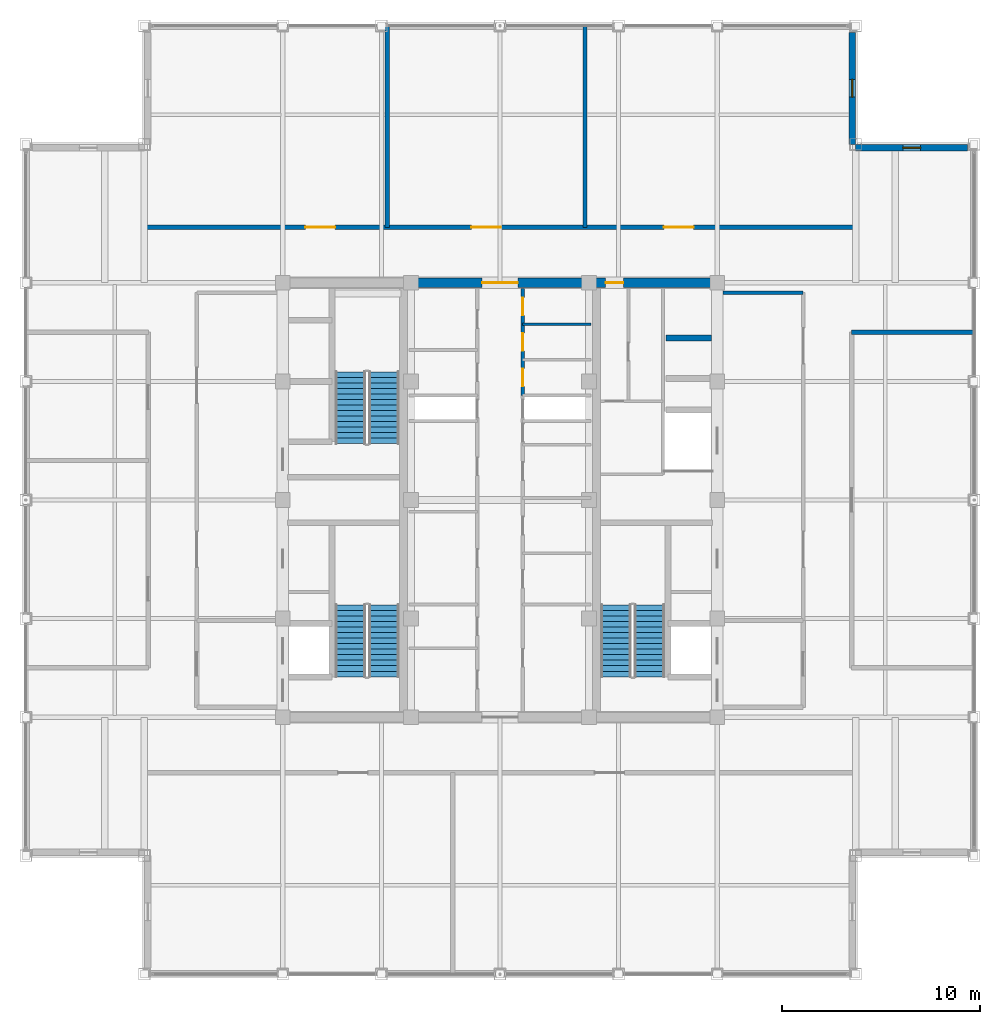
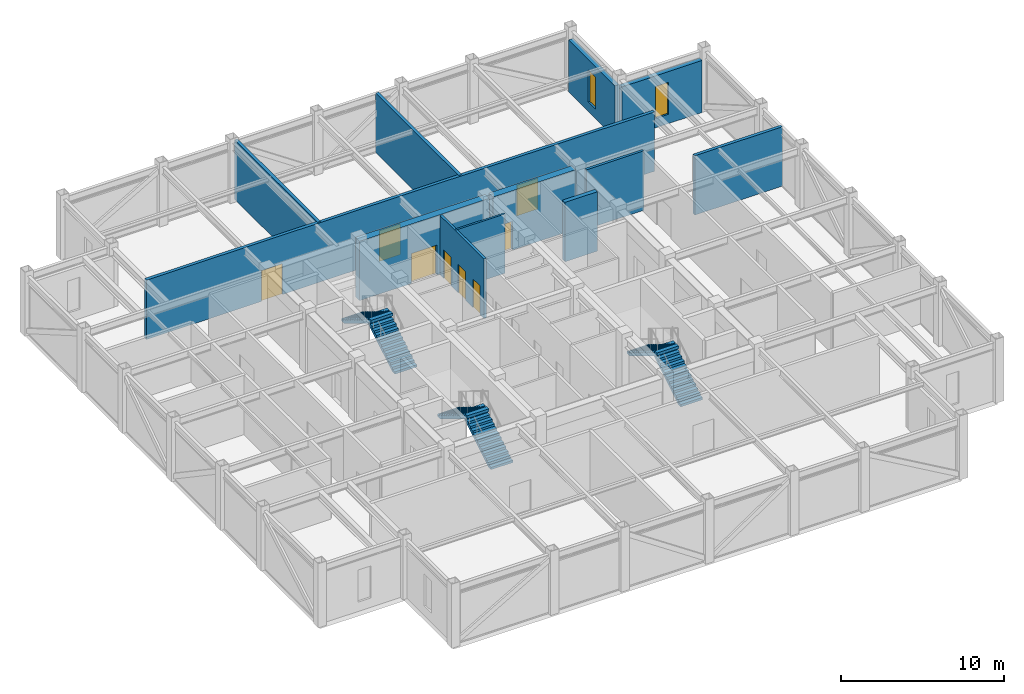
# One storey, part 26 of 27: 12 walls, 8 doors, 6 stair flights, 2 windows, 10 openings, 3 elements without a shape of their own.
"""IFC4 building model written with IfcOpenShell, lengths in metres."""

from ifc_helpers import new_model, si_unit, direction, frame, frame_2d, origin, place, context, subcontext, project, spatial, polyline, rectangle, outline, extrude, source, transform, mapped, material, layer, layer_set, type_object, element, fill, aggregate, save


model = new_model("IFC4")

# Units and contexts
model_context = context("Model", 3, precision=1e-05, world=origin(), true_north=direction((0.0, 1.0)))
body_context = subcontext(model_context, "Body", "Model", "MODEL_VIEW")
ifc_project = project(units=[si_unit("LENGTHUNIT", "METRE"), si_unit("AREAUNIT", "SQUARE_METRE"), si_unit("VOLUMEUNIT", "CUBIC_METRE"), si_unit("PLANEANGLEUNIT", "RADIAN"), si_unit("MASSUNIT", "GRAM", prefix="KILO")], contexts=[model_context])

# Site, building, storey
site_placement = place(None, origin())
site = spatial("IfcSite", under=ifc_project, at=site_placement, CompositionType="ELEMENT")
building_placement = place(site_placement, origin())
building = spatial("IfcBuilding", under=site, at=building_placement, Name="Khorayat Bourse Tower", CompositionType="ELEMENT")
storey_placement = place(building_placement, frame((0.0, 0.0, 380.300048828125)))
storey = spatial("IfcBuildingStorey", under=building, at=storey_placement, Name="L90", CompositionType="ELEMENT", Elevation=380.300048828125)

# Wall, opening, door
ifc_material_1 = material(Name="Concrete C52/65", Category="concrete")
ifc_layer_1 = layer(ifc_material_1, 0.5)
ifc_layer_set_1 = layer_set([ifc_layer_1], Name="Concrete C52/65")
wall_type_1 = type_object("IfcWallType", Name="WAL-CORE-500", PredefinedType="SHEAR", material=ifc_layer_set_1)
shared_shape_1 = source(origin(), body_context, "Body", "SweptSolid", [
    extrude(rectangle(XDim=5.89990234375, YDim=0.5, at=frame_2d((2.949951171875, 0.0))), origin(), (0.0, 0.0, 1.0), 4.449951171875),
])
wall_1_placement = place(storey_placement, frame((4.85009765625, 11.0, 0.0), z_axis=(0.0, 0.0, 1.0), x_axis=(1.0, 0.0, 0.0)))
wall_1 = element("IfcWall", 1, at=wall_1_placement, inside=storey, type_object=wall_type_1, Name="L90 Core Shear Wall PIER-EN", PredefinedType="SHEAR", context=body_context, shape_type="MappedRepresentation", body=[
    mapped(shared_shape_1, transform((0.0, 0.0, 0.0), scale=1.0)),
])
shared_shape_2 = source(origin(), body_context, "Body", "SweptSolid", [
    extrude(rectangle(XDim=0.89990234375, YDim=2.14990234375, at=frame_2d((0.449951171875, 1.074951171875))), frame((0.0, 0.260009765625, 0.0), z_axis=(0.0, -1.0, 0.0), x_axis=(1.0, 0.0, 0.0)), (0.0, 0.0, 1.0), 0.52001953125),
])
opening_1_placement = place(wall_1_placement, frame((0.5, 0.0, 0.0)))
opening_1 = element("IfcOpeningElement", 2, at=opening_1_placement, cuts=wall_1, Name="Opening DI-06", PredefinedType="OPENING", context=body_context, shape_type="MappedRepresentation", body=[
    mapped(shared_shape_2, transform((0.0, 0.0, 0.0), scale=1.0)),
])
ifc_material_2 = material(Name="Moisture-resistant laminate washroom door")
door_type_1 = type_object("IfcDoorType", Name="DR-INT-WC-900", OperationType="NOTDEFINED", PredefinedType="DOOR", material=ifc_material_2)
shared_shape_3 = source(origin(), body_context, "Body", "SweptSolid", [
    extrude(rectangle(XDim=0.89990234375, YDim=2.14990234375, at=frame_2d((0.449951171875, 1.074951171875))), frame((0.0, 0.02490234375, 0.0), z_axis=(0.0, -1.0, 0.0), x_axis=(1.0, 0.0, 0.0)), (0.0, 0.0, 1.0), 0.050048828125),
])
door_1_placement = place(opening_1_placement, origin())
door_1 = element("IfcDoor", 3, at=door_1_placement, inside=storey, type_object=door_type_1, Name="L90 Core Washroom Lobby Door", OperationType="SINGLE_SWING_LEFT", OverallHeight=2.14990234375, OverallWidth=0.89990234375, PredefinedType="DOOR", context=body_context, shape_type="MappedRepresentation", body=[
    mapped(shared_shape_3, transform((0.0, 0.0, 0.0), scale=1.0)),
])
fill(opening_1, door_1)

shared_shape_4 = source(origin(), body_context, "Body", "SweptSolid", [
    extrude(rectangle(XDim=9.2001953125, YDim=0.5, at=frame_2d((4.60009765625, 0.0))), origin(), (0.0, 0.0, 1.0), 4.449951171875),
])
wall_2_placement = place(storey_placement, frame((-4.60009765625, 11.0, 0.0), z_axis=(0.0, 0.0, 1.0), x_axis=(1.0, 0.0, 0.0)))
wall_2 = element("IfcWall", 4, at=wall_2_placement, inside=storey, type_object=wall_type_1, Name="L90 Core Shear Wall CORE-N", PredefinedType="SHEAR", context=body_context, shape_type="MappedRepresentation", body=[
    mapped(shared_shape_4, transform((0.0, 0.0, 0.0), scale=1.0)),
])
shared_shape_5 = source(origin(), body_context, "Body", "SweptSolid", [
    extrude(rectangle(XDim=1.800048828125, YDim=2.25, at=frame_2d((0.89990234375, 1.125))), frame((0.0, 0.260009765625, 0.0), z_axis=(0.0, -1.0, 0.0), x_axis=(1.0, 0.0, 0.0)), (0.0, 0.0, 1.0), 0.52001953125),
])
opening_2_placement = place(wall_2_placement, frame((3.699951171875, 0.0, 0.0)))
opening_2 = element("IfcOpeningElement", 5, at=opening_2_placement, cuts=wall_2, Name="Opening DI-03", PredefinedType="OPENING", context=body_context, shape_type="MappedRepresentation", body=[
    mapped(shared_shape_5, transform((0.0, 0.0, 0.0), scale=1.0)),
])
ifc_material_3 = material(Name="Fire-rated hardwood vision-panel double leaf", Category="wood")
door_type_2 = type_object("IfcDoorType", Name="DR-INT-CORR-1800", OperationType="NOTDEFINED", PredefinedType="DOOR", material=ifc_material_3)
shared_shape_6 = source(origin(), body_context, "Body", "SweptSolid", [
    extrude(rectangle(XDim=1.800048828125, YDim=2.25, at=frame_2d((0.89990234375, 1.125))), frame((0.0, 0.02490234375, 0.0), z_axis=(0.0, -1.0, 0.0), x_axis=(1.0, 0.0, 0.0)), (0.0, 0.0, 1.0), 0.050048828125),
])
door_2_placement = place(opening_2_placement, origin())
door_2 = element("IfcDoor", 6, at=door_2_placement, inside=storey, type_object=door_type_2, Name="L90 Central Core North Passage Door", OperationType="SINGLE_SWING_RIGHT", OverallHeight=2.25, OverallWidth=1.800048828125, PredefinedType="DOOR", context=body_context, shape_type="MappedRepresentation", body=[
    mapped(shared_shape_6, transform((0.0, 0.0, 0.0), scale=1.0)),
])
fill(opening_2, door_2)

# Wall, opening, window
ifc_material_4 = material(Name="Precast concrete C45/55", Category="concrete")
ifc_layer_2 = layer(ifc_material_4, 0.320068359375)
ifc_layer_set_2 = layer_set([ifc_layer_2], Name="Precast concrete C45/55")
wall_type_2 = type_object("IfcWallType", Name="WAL-EXT-STONE-320", PredefinedType="STANDARD", material=ifc_layer_set_2)
shared_shape_7 = source(origin(), body_context, "Body", "SweptSolid", [
    extrude(rectangle(XDim=5.679931640625, YDim=0.320068359375, at=frame_2d((2.83984375, 0.0))), origin(), (0.0, 0.0, 1.0), 3.90087890625),
])
wall_3_placement = place(storey_placement, frame((18.0, 17.840087890625, 0.0), z_axis=(0.0, 0.0, 1.0), x_axis=(1.0, 0.0, 0.0)))
wall_3 = element("IfcWall", 7, at=wall_3_placement, inside=storey, type_object=wall_type_2, Name="L90 Re-Entrant Notch Limestone Wall NE-H", PredefinedType="STANDARD", context=body_context, shape_type="MappedRepresentation", body=[
    mapped(shared_shape_7, transform((0.0, 0.0, 0.0), scale=1.0)),
])
shared_shape_8 = source(origin(), body_context, "Body", "SweptSolid", [
    extrude(rectangle(XDim=0.89990234375, YDim=2.39990234375, at=frame_2d((0.449951171875, 1.199951171875))), frame((0.0, 0.169921875, 0.0), z_axis=(0.0, -1.0, 0.0), x_axis=(1.0, 0.0, 0.0)), (0.0, 0.0, 1.0), 0.340087890625),
])
opening_3_placement = place(wall_3_placement, frame((2.389892578125, 0.0, 0.699951171875)))
opening_3 = element("IfcOpeningElement", 8, at=opening_3_placement, cuts=wall_3, Name="Opening WN-03", PredefinedType="OPENING", context=body_context, shape_type="MappedRepresentation", body=[
    mapped(shared_shape_8, transform((0.0, 0.0, 0.0), scale=1.0)),
])
ifc_material_5 = material(Name="Deep-reveal solar-control double glazing", Category="glass")
window_type = type_object("IfcWindowType", Name="WIN-SLOT-900x2400", PartitioningType="SINGLE_PANEL", PredefinedType="WINDOW", material=ifc_material_5)
shared_shape_9 = source(origin(), body_context, "Body", "SweptSolid", [
    extrude(rectangle(XDim=0.89990234375, YDim=2.39990234375, at=frame_2d((0.449951171875, 1.199951171875))), frame((0.0, 0.030029296875, 0.0), z_axis=(0.0, -1.0, 0.0), x_axis=(1.0, 0.0, 0.0)), (0.0, 0.0, 1.0), 0.06005859375),
])
window_1_placement = place(opening_3_placement, origin())
window_1 = element("IfcWindow", 9, at=window_1_placement, inside=storey, type_object=window_type, Name="L90 Facade Window 1", OverallHeight=2.39990234375, OverallWidth=0.89990234375, PartitioningType="SINGLE_PANEL", PredefinedType="WINDOW", context=body_context, shape_type="MappedRepresentation", body=[
    mapped(shared_shape_9, transform((0.0, 0.0, 0.0), scale=1.0)),
])
fill(opening_3, window_1)

wall_4_placement = place(storey_placement, frame((17.840087890625, 18.0, 0.0), z_axis=(0.0, 0.0, 1.0), x_axis=(0.0, 1.0, 0.0)))
wall_4 = element("IfcWall", 10, at=wall_4_placement, inside=storey, type_object=wall_type_2, Name="L90 Re-Entrant Notch Limestone Wall NE-V", PredefinedType="STANDARD", context=body_context, shape_type="MappedRepresentation", body=[
    mapped(shared_shape_7, transform((0.0, 0.0, 0.0), scale=1.0)),
])
opening_4_placement = place(wall_4_placement, frame((2.389892578125, 0.0, 0.699951171875)))
opening_4 = element("IfcOpeningElement", 11, at=opening_4_placement, cuts=wall_4, Name="Opening WN-03", PredefinedType="OPENING", context=body_context, shape_type="MappedRepresentation", body=[
    mapped(shared_shape_8, transform((0.0, 0.0, 0.0), scale=1.0)),
])
window_2_placement = place(opening_4_placement, origin())
window_2 = element("IfcWindow", 12, at=window_2_placement, inside=storey, type_object=window_type, Name="L90 Facade Window 1", OverallHeight=2.39990234375, OverallWidth=0.89990234375, PartitioningType="SINGLE_PANEL", PredefinedType="WINDOW", context=body_context, shape_type="MappedRepresentation", body=[
    mapped(shared_shape_9, transform((0.0, 0.0, 0.0), scale=1.0)),
])
fill(opening_4, window_2)

# Walls
ifc_material_6 = material(Name="Concrete C50/60", Category="concrete")
ifc_layer_3 = layer(ifc_material_6, 0.300048828125)
ifc_layer_set_3 = layer_set([ifc_layer_3], Name="Concrete C50/60")
wall_type_3 = type_object("IfcWallType", Name="WAL-SHAFT-300", PredefinedType="SHEAR", material=ifc_layer_set_3)
shared_shape_10 = source(origin(), body_context, "Body", "SweptSolid", [
    extrude(rectangle(XDim=2.300048828125, YDim=0.300048828125, at=frame_2d((1.14990234375, 0.0))), origin(), (0.0, 0.0, 1.0), 4.449951171875),
])
wall_5_placement = place(storey_placement, frame((8.39990234375, 8.199951171875, 0.0), z_axis=(0.0, 0.0, 1.0), x_axis=(1.0, 0.0, 0.0)))
element("IfcWall", 13, at=wall_5_placement, inside=storey, type_object=wall_type_3, Name="L90 Partition WAL-L90-EPIER-H34", PredefinedType="SHEAR", context=body_context, shape_type="MappedRepresentation", body=[
    mapped(shared_shape_10, transform((0.0, 0.0, 0.0), scale=1.0)),
])
ifc_material_7 = material(Name="Gypsum plasterboard acoustic stud wall")
ifc_layer_4 = layer(ifc_material_7, 0.179931640625)
ifc_layer_set_4 = layer_set([ifc_layer_4], Name="Gypsum plasterboard acoustic stud wall")
wall_type_4 = type_object("IfcWallType", Name="WAL-PART-CORR-180", PredefinedType="PARTITIONING", material=ifc_layer_set_4)
shared_shape_11 = source(origin(), body_context, "Body", "SweptSolid", [
    extrude(rectangle(XDim=4.050048828125, YDim=0.179931640625, at=frame_2d((2.02490234375, 0.0))), origin(), (0.0, 0.0, 1.0), 4.449951171875),
])
wall_6_placement = place(storey_placement, frame((11.300048828125, 10.5, 0.0), z_axis=(0.0, 0.0, 1.0), x_axis=(1.0, 0.0, 0.0)))
element("IfcWall", 14, at=wall_6_placement, inside=storey, type_object=wall_type_4, Name="L90 Partition WAL-L90-ELOB-N", PredefinedType="PARTITIONING", context=body_context, shape_type="MappedRepresentation", body=[
    mapped(shared_shape_11, transform((0.0, 0.0, 0.0), scale=1.0)),
])
ifc_material_8 = material(Name="Moisture-resistant masonry partition", Category="masonry")
ifc_layer_5 = layer(ifc_material_8, 0.139892578125)
ifc_layer_set_5 = layer_set([ifc_layer_5], Name="Moisture-resistant masonry partition")
wall_type_5 = type_object("IfcWallType", Name="WAL-PART-WET-140", PredefinedType="PARTITIONING", material=ifc_layer_set_5)
shared_shape_12 = source(origin(), body_context, "Body", "SweptSolid", [
    extrude(rectangle(XDim=3.4501953125, YDim=0.139892578125, at=frame_2d((1.72509765625, 0.0))), origin(), (0.0, 0.0, 1.0), 4.449951171875),
])
wall_7_placement = place(storey_placement, frame((1.14990234375, 8.89990234375, 0.0), z_axis=(0.0, 0.0, 1.0), x_axis=(1.0, 0.0, 0.0)))
element("IfcWall", 15, at=wall_7_placement, inside=storey, type_object=wall_type_5, Name="L90 Partition WAL-L90-FB2E-D2", PredefinedType="PARTITIONING", context=body_context, shape_type="MappedRepresentation", body=[
    mapped(shared_shape_12, transform((0.0, 0.0, 0.0), scale=1.0)),
])

# Wall, openings, doors
shared_shape_13 = source(origin(), body_context, "Body", "SweptSolid", [
    extrude(rectangle(XDim=5.39990234375, YDim=0.179931640625, at=frame_2d((2.699951171875, 0.0))), origin(), (0.0, 0.0, 1.0), 4.449951171875),
])
wall_8_placement = place(storey_placement, frame((1.14990234375, 5.300048828125, 0.0), z_axis=(0.0, 0.0, 1.0), x_axis=(0.0, 1.0, 0.0)))
wall_8 = element("IfcWall", 16, at=wall_8_placement, inside=storey, type_object=wall_type_4, Name="L90 Partition WAL-L90-FB2E-L", PredefinedType="PARTITIONING", context=body_context, shape_type="MappedRepresentation", body=[
    mapped(shared_shape_13, transform((0.0, 0.0, 0.0), scale=1.0)),
])
shared_shape_14 = source(origin(), body_context, "Body", "SweptSolid", [
    extrude(rectangle(XDim=0.89990234375, YDim=2.14990234375, at=frame_2d((0.449951171875, 1.074951171875))), frame((0.0, 0.099853515625, 0.0), z_axis=(0.0, -1.0, 0.0), x_axis=(1.0, 0.0, 0.0)), (0.0, 0.0, 1.0), 0.199951171875),
])
opening_5_placement = place(wall_8_placement, frame((0.449951171875, 0.0, 0.0)))
opening_5 = element("IfcOpeningElement", 17, at=opening_5_placement, cuts=wall_8, Name="Opening DI-06", PredefinedType="OPENING", context=body_context, shape_type="MappedRepresentation", body=[
    mapped(shared_shape_14, transform((0.0, 0.0, 0.0), scale=1.0)),
])
opening_6_placement = place(wall_8_placement, frame((2.25, 0.0, 0.0)))
opening_6 = element("IfcOpeningElement", 18, at=opening_6_placement, cuts=wall_8, Name="Opening DI-06", PredefinedType="OPENING", context=body_context, shape_type="MappedRepresentation", body=[
    mapped(shared_shape_14, transform((0.0, 0.0, 0.0), scale=1.0)),
])
opening_7_placement = place(wall_8_placement, frame((4.050048828125, 0.0, 0.0)))
opening_7 = element("IfcOpeningElement", 19, at=opening_7_placement, cuts=wall_8, Name="Opening DI-06", PredefinedType="OPENING", context=body_context, shape_type="MappedRepresentation", body=[
    mapped(shared_shape_14, transform((0.0, 0.0, 0.0), scale=1.0)),
])
door_3_placement = place(opening_5_placement, origin())
door_3 = element("IfcDoor", 20, at=door_3_placement, inside=storey, type_object=door_type_1, Name="L90 Linen Store Door", OperationType="SINGLE_SWING_RIGHT", OverallHeight=2.14990234375, OverallWidth=0.89990234375, PredefinedType="DOOR", context=body_context, shape_type="MappedRepresentation", body=[
    mapped(shared_shape_3, transform((0.0, 0.0, 0.0), scale=1.0)),
])
fill(opening_5, door_3)
door_4_placement = place(opening_6_placement, origin())
door_4 = element("IfcDoor", 21, at=door_4_placement, inside=storey, type_object=door_type_1, Name="L90 Sub-Meter Room Door", OperationType="SINGLE_SWING_LEFT", OverallHeight=2.14990234375, OverallWidth=0.89990234375, PredefinedType="DOOR", context=body_context, shape_type="MappedRepresentation", body=[
    mapped(shared_shape_3, transform((0.0, 0.0, 0.0), scale=1.0)),
])
fill(opening_6, door_4)
door_5_placement = place(opening_7_placement, origin())
door_5 = element("IfcDoor", 22, at=door_5_placement, inside=storey, type_object=door_type_1, Name="L90 Records Store Door", OperationType="SINGLE_SWING_RIGHT", OverallHeight=2.14990234375, OverallWidth=0.89990234375, PredefinedType="DOOR", context=body_context, shape_type="MappedRepresentation", body=[
    mapped(shared_shape_3, transform((0.0, 0.0, 0.0), scale=1.0)),
])
fill(opening_7, door_5)

# Walls
ifc_material_9 = material(Name="Aerated concrete blockwork", Category="masonry")
ifc_layer_6 = layer(ifc_material_9, 0.219970703125)
ifc_layer_set_6 = layer_set([ifc_layer_6], Name="Aerated concrete blockwork")
wall_type_6 = type_object("IfcWallType", Name="WAL-PART-FF-220", PredefinedType="PARTITIONING", material=ifc_layer_set_6)
shared_shape_15 = source(origin(), body_context, "Body", "SweptSolid", [
    extrude(rectangle(XDim=10.199951171875, YDim=0.219970703125, at=frame_2d((5.10009765625, 0.0))), origin(), (0.0, 0.0, 1.0), 4.449951171875),
])
for number, where, z_axis, x_axis, name in (
    (23, (-5.699951171875, 13.800048828125, 0.0), (0.0, 0.0, 1.0), (0.0, 1.0, 0.0), "L90 Partition WAL-L90-PLN-D1"),
    (24, (4.300048828125, 13.800048828125, 0.0), (0.0, 0.0, 1.0), (0.0, 1.0, 0.0), "L90 Partition WAL-L90-PLN-D2"),
):
    element("IfcWall", number, at=place(storey_placement, frame(where, z_axis=z_axis, x_axis=x_axis)), inside=storey, type_object=wall_type_6, Name=name, PredefinedType="PARTITIONING", context=body_context, shape_type="MappedRepresentation", body=[
        mapped(shared_shape_15, transform((0.0, 0.0, 0.0), scale=1.0)),
    ])
shared_shape_16 = source(origin(), body_context, "Body", "SweptSolid", [
    extrude(rectangle(XDim=6.199951171875, YDim=0.219970703125, at=frame_2d((3.10009765625, 0.0))), origin(), (0.0, 0.0, 1.0), 4.449951171875),
])
wall_9_placement = place(storey_placement, frame((17.800048828125, 8.5, 0.0), z_axis=(0.0, 0.0, 1.0), x_axis=(1.0, 0.0, 0.0)))
element("IfcWall", 25, at=wall_9_placement, inside=storey, type_object=wall_type_6, Name="L90 Partition WAL-L90-PLE-N", PredefinedType="PARTITIONING", context=body_context, shape_type="MappedRepresentation", body=[
    mapped(shared_shape_16, transform((0.0, 0.0, 0.0), scale=1.0)),
])

# Wall, openings, doors
shared_shape_17 = source(origin(), body_context, "Body", "SweptSolid", [
    extrude(rectangle(XDim=36.0, YDim=0.219970703125, at=frame_2d((18.0, 0.0))), origin(), (0.0, 0.0, 1.0), 4.449951171875),
])
wall_10_placement = place(storey_placement, frame((-18.0, 13.800048828125, 0.0), z_axis=(0.0, 0.0, 1.0), x_axis=(1.0, 0.0, 0.0)))
wall_10 = element("IfcWall", 26, at=wall_10_placement, inside=storey, type_object=wall_type_6, Name="L90 Partition WAL-L90-PLN-S", PredefinedType="PARTITIONING", context=body_context, shape_type="MappedRepresentation", body=[
    mapped(shared_shape_17, transform((0.0, 0.0, 0.0), scale=1.0)),
])
shared_shape_18 = source(origin(), body_context, "Body", "SweptSolid", [
    extrude(rectangle(XDim=1.5, YDim=2.300048828125, at=frame_2d((0.75, 1.14990234375))), frame((0.0, 0.119873046875, 0.0), z_axis=(0.0, -1.0, 0.0), x_axis=(1.0, 0.0, 0.0)), (0.0, 0.0, 1.0), 0.239990234375),
])
opening_8_placement = place(wall_10_placement, frame((8.14990234375, 0.0, 0.0)))
opening_8 = element("IfcOpeningElement", 27, at=opening_8_placement, cuts=wall_10, Name="Opening DI-07", PredefinedType="OPENING", context=body_context, shape_type="MappedRepresentation", body=[
    mapped(shared_shape_18, transform((0.0, 0.0, 0.0), scale=1.0)),
])
opening_9_placement = place(wall_10_placement, frame((16.550048828125, 0.0, 0.0)))
opening_9 = element("IfcOpeningElement", 28, at=opening_9_placement, cuts=wall_10, Name="Opening DI-07", PredefinedType="OPENING", context=body_context, shape_type="MappedRepresentation", body=[
    mapped(shared_shape_18, transform((0.0, 0.0, 0.0), scale=1.0)),
])
opening_10_placement = place(wall_10_placement, frame((26.300048828125, 0.0, 0.0)))
opening_10 = element("IfcOpeningElement", 29, at=opening_10_placement, cuts=wall_10, Name="Opening DI-07", PredefinedType="OPENING", context=body_context, shape_type="MappedRepresentation", body=[
    mapped(shared_shape_18, transform((0.0, 0.0, 0.0), scale=1.0)),
])
ifc_material_10 = material(Name="Louvred fire-rated steel plant double door", Category="steel")
door_type_3 = type_object("IfcDoorType", Name="DR-INT-PLANT-1500", OperationType="NOTDEFINED", PredefinedType="DOOR", material=ifc_material_10)
shared_shape_19 = source(origin(), body_context, "Body", "SweptSolid", [
    extrude(rectangle(XDim=1.5, YDim=2.300048828125, at=frame_2d((0.75, 1.14990234375))), frame((0.0, 0.02490234375, 0.0), z_axis=(0.0, -1.0, 0.0), x_axis=(1.0, 0.0, 0.0)), (0.0, 0.0, 1.0), 0.050048828125),
])
door_6_placement = place(opening_8_placement, origin())
door_6 = element("IfcDoor", 30, at=door_6_placement, inside=storey, type_object=door_type_3, Name="L90 AHU Plant Door", OperationType="SINGLE_SWING_LEFT", OverallHeight=2.300048828125, OverallWidth=1.5, PredefinedType="DOOR", context=body_context, shape_type="MappedRepresentation", body=[
    mapped(shared_shape_19, transform((0.0, 0.0, 0.0), scale=1.0)),
])
fill(opening_8, door_6)
door_7_placement = place(opening_9_placement, origin())
door_7 = element("IfcDoor", 31, at=door_7_placement, inside=storey, type_object=door_type_3, Name="L90 HV Switchgear Door", OperationType="SINGLE_SWING_RIGHT", OverallHeight=2.300048828125, OverallWidth=1.5, PredefinedType="DOOR", context=body_context, shape_type="MappedRepresentation", body=[
    mapped(shared_shape_19, transform((0.0, 0.0, 0.0), scale=1.0)),
])
fill(opening_9, door_7)
door_8_placement = place(opening_10_placement, origin())
door_8 = element("IfcDoor", 32, at=door_8_placement, inside=storey, type_object=door_type_3, Name="L90 BMS Plant Door", OperationType="SINGLE_SWING_LEFT", OverallHeight=2.300048828125, OverallWidth=1.5, PredefinedType="DOOR", context=body_context, shape_type="MappedRepresentation", body=[
    mapped(shared_shape_19, transform((0.0, 0.0, 0.0), scale=1.0)),
])
fill(opening_10, door_8)

# Stair, stair flights
ifc_material_11 = material(Name="Concrete C40/50", Category="concrete")
stair_type = type_object("IfcStairType", Name="STR-CORE-1550", PredefinedType="HALF_TURN_STAIR", material=ifc_material_11)
stair_1_placement = place(storey_placement, origin())
stair_1 = element("IfcStair", 33, at=stair_1_placement, inside=storey, type_object=stair_type, Name="L90 Exit Stair ST-1", PredefinedType="HALF_TURN_STAIR")
stair_flight_type = type_object("IfcStairFlightType", Name="FLT-CORE-1550", PredefinedType="STRAIGHT", material=ifc_material_11)
shared_shape_20 = source(origin(), body_context, "Body", "SweptSolid", [
    extrude(outline(polyline([(0.0, 0.0), (0.0, 0.17138671875), (0.280029296875, 0.17138671875), (0.280029296875, 0.3427734375), (0.56005859375, 0.3427734375), (0.56005859375, 0.514404296875), (0.840087890625, 0.514404296875), (0.840087890625, 0.685791015625), (1.1201171875, 0.685791015625), (1.1201171875, 0.857177734375), (1.39990234375, 0.857177734375), (1.39990234375, 1.028564453125), (1.679931640625, 1.028564453125), (1.679931640625, 1.199951171875), (1.9599609375, 1.199951171875), (1.9599609375, 1.371337890625), (2.239990234375, 1.371337890625), (2.239990234375, 1.54296875), (2.52001953125, 1.54296875), (2.52001953125, 1.71435546875), (2.800048828125, 1.71435546875), (2.800048828125, 1.8857421875), (3.080078125, 1.8857421875), (3.080078125, 2.05712890625), (3.360107421875, 2.05712890625), (3.360107421875, 2.228515625), (3.639892578125, 2.228515625), (3.639892578125, 2.39990234375), (3.639892578125, 2.017578125), (0.344482421875, 0.0), (0.0, 0.0)])), frame((0.0, 0.77490234375, 0.0), z_axis=(0.0, -1.0, 0.0), x_axis=(1.0, 0.0, 0.0)), (0.0, 0.0, 1.0), 1.550048828125),
])
stair_flight_1_placement = place(storey_placement, frame((-5.875, -8.949951171875, 0.0), z_axis=(0.0, 0.0, 1.0), x_axis=(0.0, 1.0, 0.0)))
stair_flight_1 = element("IfcStairFlight", 34, at=stair_flight_1_placement, type_object=stair_flight_type, Name="ST-1 flight 1", NumberOfRisers=14, NumberOfTreads=13, PredefinedType="STRAIGHT", RiserHeight=0.171428571, TreadLength=0.28, context=body_context, shape_type="MappedRepresentation", body=[
    mapped(shared_shape_20, transform((0.0, 0.0, 0.0), scale=1.0)),
])
stair_flight_2_placement = place(storey_placement, frame((-7.574951171875, -5.31005859375, 2.39990234375), z_axis=(0.0, 0.0, 1.0), x_axis=(0.0, -1.0, 0.0)))
stair_flight_2 = element("IfcStairFlight", 35, at=stair_flight_2_placement, type_object=stair_flight_type, Name="ST-1 flight 2", NumberOfRisers=14, NumberOfTreads=13, PredefinedType="STRAIGHT", RiserHeight=0.171428571, TreadLength=0.28, context=body_context, shape_type="MappedRepresentation", body=[
    mapped(shared_shape_20, transform((0.0, 0.0, 0.0), scale=1.0)),
])
aggregate(stair_1, [stair_flight_1, stair_flight_2])

stair_2_placement = place(storey_placement, origin())
stair_2 = element("IfcStair", 36, at=stair_2_placement, inside=storey, type_object=stair_type, Name="L90 Exit Stair ST-2", PredefinedType="HALF_TURN_STAIR")
stair_flight_3_placement = place(storey_placement, frame((-5.875, 2.85009765625, 0.0), z_axis=(0.0, 0.0, 1.0), x_axis=(0.0, 1.0, 0.0)))
stair_flight_3 = element("IfcStairFlight", 37, at=stair_flight_3_placement, type_object=stair_flight_type, Name="ST-2 flight 1", NumberOfRisers=14, NumberOfTreads=13, PredefinedType="STRAIGHT", RiserHeight=0.171428571, TreadLength=0.28, context=body_context, shape_type="MappedRepresentation", body=[
    mapped(shared_shape_20, transform((0.0, 0.0, 0.0), scale=1.0)),
])
stair_flight_4_placement = place(storey_placement, frame((-7.574951171875, 6.489990234375, 2.39990234375), z_axis=(0.0, 0.0, 1.0), x_axis=(0.0, -1.0, 0.0)))
stair_flight_4 = element("IfcStairFlight", 38, at=stair_flight_4_placement, type_object=stair_flight_type, Name="ST-2 flight 2", NumberOfRisers=14, NumberOfTreads=13, PredefinedType="STRAIGHT", RiserHeight=0.171428571, TreadLength=0.28, context=body_context, shape_type="MappedRepresentation", body=[
    mapped(shared_shape_20, transform((0.0, 0.0, 0.0), scale=1.0)),
])
aggregate(stair_2, [stair_flight_3, stair_flight_4])

stair_3_placement = place(storey_placement, origin())
stair_3 = element("IfcStair", 39, at=stair_3_placement, inside=storey, type_object=stair_type, Name="L90 Exit Stair ST-3", PredefinedType="HALF_TURN_STAIR")
stair_flight_5_placement = place(storey_placement, frame((7.574951171875, -8.949951171875, 0.0), z_axis=(0.0, 0.0, 1.0), x_axis=(0.0, 1.0, 0.0)))
stair_flight_5 = element("IfcStairFlight", 40, at=stair_flight_5_placement, type_object=stair_flight_type, Name="ST-3 flight 1", NumberOfRisers=14, NumberOfTreads=13, PredefinedType="STRAIGHT", RiserHeight=0.171428571, TreadLength=0.28, context=body_context, shape_type="MappedRepresentation", body=[
    mapped(shared_shape_20, transform((0.0, 0.0, 0.0), scale=1.0)),
])
stair_flight_6_placement = place(storey_placement, frame((5.875, -5.31005859375, 2.39990234375), z_axis=(0.0, 0.0, 1.0), x_axis=(0.0, -1.0, 0.0)))
stair_flight_6 = element("IfcStairFlight", 41, at=stair_flight_6_placement, type_object=stair_flight_type, Name="ST-3 flight 2", NumberOfRisers=14, NumberOfTreads=13, PredefinedType="STRAIGHT", RiserHeight=0.171428571, TreadLength=0.28, context=body_context, shape_type="MappedRepresentation", body=[
    mapped(shared_shape_20, transform((0.0, 0.0, 0.0), scale=1.0)),
])
aggregate(stair_3, [stair_flight_5, stair_flight_6])

save(model, "model.ifc")
